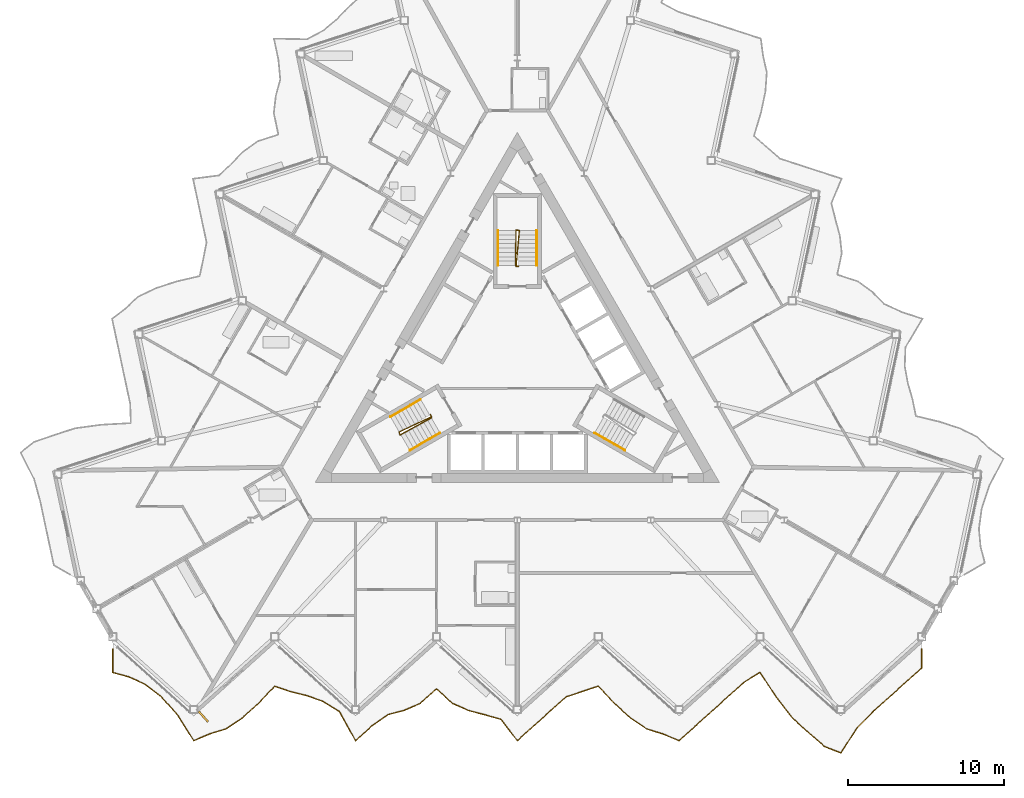
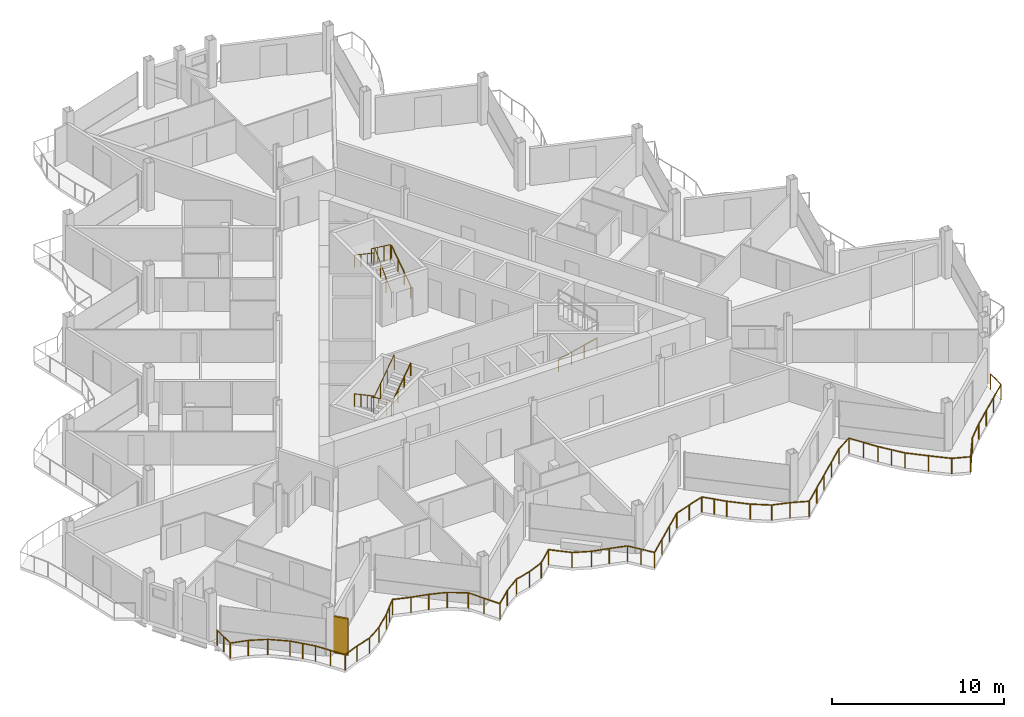
# One storey, part 22 of 26: 8 railings, 1 shading device.
"""IFC4 building model written with IfcOpenShell, lengths in metres."""

from ifc_helpers import new_model, si_unit, direction, frame, origin, origin_2d, place, context, subcontext, project, spatial, rectangle, circle, extrude, material, layer, layer_set, type_object, element, save


model = new_model("IFC4")

# Units and contexts
model_context = context("Model", 3, precision=1e-05, world=origin(), true_north=direction((0.0, 1.0)))
body_context = subcontext(model_context, "Body", "Model", "MODEL_VIEW")
ifc_project = project(units=[si_unit("LENGTHUNIT", "METRE"), si_unit("AREAUNIT", "SQUARE_METRE"), si_unit("VOLUMEUNIT", "CUBIC_METRE"), si_unit("PLANEANGLEUNIT", "RADIAN"), si_unit("MASSUNIT", "GRAM", prefix="KILO")], contexts=[model_context])

# Site, building, storey
site_placement = place(None, origin())
site = spatial("IfcSite", under=ifc_project, at=site_placement, CompositionType="ELEMENT")
building_placement = place(site_placement, origin())
building = spatial("IfcBuilding", under=site, at=building_placement, Name="Cormorant Prow Tower", CompositionType="ELEMENT")
storey_placement = place(building_placement, frame((0.0, 0.0, 384.800048828125)))
storey = spatial("IfcBuildingStorey", under=building, at=storey_placement, Name="L87", CompositionType="ELEMENT", Elevation=384.800048828125)

# Railings
ifc_material_1 = material(Name="Aluminium 6063-T6", Category="aluminium")
railing_type_1 = type_object("IfcRailingType", Name="Balcony guard 1100", PredefinedType="GUARDRAIL", material=ifc_material_1)
railing_1_placement = place(storey_placement, frame((-26.0, -18.189697265625, 0.0)))
element("IfcRailing", 1, at=railing_1_placement, inside=storey, type_object=railing_type_1, Name="Balcony guard S", PredefinedType="GUARDRAIL", context=body_context, shape_type="SweptSolid", body=[
    extrude(circle(Radius=0.02392578125, at=origin_2d()), frame((0.0, 0.0, 1.076171875), z_axis=(0.0, -1.0, 0.0), x_axis=(1.0, 0.0, 0.0)), (0.0, 0.0, 1.0), 1.52001953125),
    extrude(circle(Radius=0.02392578125, at=origin_2d()), frame((0.0, -1.52001953125, 1.076171875), z_axis=(0.964810844269, -0.262944927276, 0.0), x_axis=(0.262944927276, 0.964810844269, 0.0)), (0.0, 0.0, 1.0), 1.077880859375),
    extrude(circle(Radius=0.02392578125, at=origin_2d()), frame((1.0400390625, -1.803466796875, 1.076171875), z_axis=(0.909347595686, -0.41603719812, 0.0), x_axis=(0.41603719812, 0.909347595686, 0.0)), (0.0, 0.0, 1.0), 1.143798828125),
    extrude(circle(Radius=0.02392578125, at=origin_2d()), frame((2.080078125, -2.279296875, 1.076171875), z_axis=(0.791268661421, -0.611468646337, 0.0), x_axis=(0.611468646337, 0.791268661421, 0.0)), (0.0, 0.0, 1.0), 1.314453125),
    extrude(circle(Radius=0.02392578125, at=origin_2d()), frame((3.1201171875, -3.0830078125, 1.076171875), z_axis=(0.6640831276, -0.747658745443, 0.0), x_axis=(0.747658745443, 0.6640831276, 0.0)), (0.0, 0.0, 1.0), 1.565673828125),
    extrude(circle(Radius=0.02392578125, at=origin_2d()), frame((4.159912109375, -4.253662109375, 1.076171875), z_axis=(0.533597069462, -0.845738829345, 0.0), x_axis=(0.845738829345, 0.533597069462, 0.0)), (0.0, 0.0, 1.0), 1.94921875),
    extrude(circle(Radius=0.02392578125, at=origin_2d()), frame((5.199951171875, -5.902099609375, 1.076171875), z_axis=(0.920214237524, 0.391415070045, 0.0), x_axis=(-0.391415070045, 0.920214237524, 0.0)), (0.0, 0.0, 1.0), 1.130126953125),
    extrude(circle(Radius=0.02392578125, at=origin_2d()), frame((6.239990234375, -5.459716796875, 1.076171875), z_axis=(0.95576445461, 0.294133145538, 0.0), x_axis=(-0.294133145538, 0.95576445461, 0.0)), (0.0, 0.0, 1.0), 1.088134765625),
    extrude(circle(Radius=0.02392578125, at=origin_2d()), frame((7.280029296875, -5.1396484375, 1.076171875), z_axis=(0.830788013816, 0.556588965125, 0.0), x_axis=(-0.556588965125, 0.830788013816, 0.0)), (0.0, 0.0, 1.0), 1.251953125),
    extrude(circle(Radius=0.02392578125, at=origin_2d()), frame((8.320068359375, -4.44287109375, 1.076171875), z_axis=(0.743120643554, 0.66915746213, 0.0), x_axis=(-0.66915746213, 0.743120643554, 0.0)), (0.0, 0.0, 1.0), 1.399658203125),
    extrude(circle(Radius=0.02392578125, at=origin_2d()), frame((9.360107421875, -3.50634765625, 1.076171875), z_axis=(0.686746627718, 0.726896876674, 0.0), x_axis=(-0.726896876674, 0.686746627718, 0.0)), (0.0, 0.0, 1.0), 1.51416015625),
    extrude(circle(Radius=0.02392578125, at=origin_2d()), frame((10.39990234375, -2.40576171875, 1.076171875), z_axis=(0.949083556444, -0.315024448078, 0.0), x_axis=(0.315024448078, 0.949083556444, 0.0)), (0.0, 0.0, 1.0), 1.095947265625),
    extrude(circle(Radius=0.02392578125, at=origin_2d()), frame((11.43994140625, -2.7509765625, 1.076171875), z_axis=(0.970463258891, -0.241248965062, 0.0), x_axis=(0.241248965062, 0.970463258891, 0.0)), (0.0, 0.0, 1.0), 1.07177734375),
    extrude(circle(Radius=0.02392578125, at=origin_2d()), frame((12.47998046875, -3.009521484375, 1.076171875), z_axis=(0.941701894654, -0.336448423395, 0.0), x_axis=(0.336448423395, 0.941701894654, 0.0)), (0.0, 0.0, 1.0), 1.1044921875),
    extrude(circle(Radius=0.02392578125, at=origin_2d()), frame((13.52001953125, -3.381103515625, 1.076171875), z_axis=(0.847864099887, -0.530213606127, 0.0), x_axis=(0.530213606127, 0.847864099887, 0.0)), (0.0, 0.0, 1.0), 1.2265625),
    extrude(circle(Radius=0.02392578125, at=origin_2d()), frame((14.56005859375, -4.031494140625, 1.076171875), z_axis=(0.485933457177, -0.873995809599, 0.0), x_axis=(0.873995809599, 0.485933457177, 0.0)), (0.0, 0.0, 1.0), 2.140380859375),
    extrude(circle(Radius=0.02392578125, at=origin_2d()), frame((15.60009765625, -5.902099609375, 1.076171875), z_axis=(0.74304251841, 0.669244212403, 0.0), x_axis=(-0.669244212403, 0.74304251841, 0.0)), (0.0, 0.0, 1.0), 1.3994140625),
    extrude(circle(Radius=0.02392578125, at=origin_2d()), frame((16.639892578125, -4.965576171875, 1.076171875), z_axis=(0.815166142361, 0.579227209607, 0.0), x_axis=(-0.579227209607, 0.815166142361, 0.0)), (0.0, 0.0, 1.0), 1.27587890625),
    extrude(circle(Radius=0.02392578125, at=origin_2d()), frame((17.679931640625, -4.2265625, 1.076171875), z_axis=(0.967800372049, 0.251718970007, 0.0), x_axis=(-0.251718970007, 0.967800372049, 0.0)), (0.0, 0.0, 1.0), 1.07470703125),
    extrude(circle(Radius=0.02392578125, at=origin_2d()), frame((18.719970703125, -3.9560546875, 1.076171875), z_axis=(0.917869764343, 0.396881715005, 0.0), x_axis=(-0.396881715005, 0.917869764343, 0.0)), (0.0, 0.0, 1.0), 1.133056640625),
    extrude(circle(Radius=0.02392578125, at=origin_2d()), frame((19.760009765625, -3.50634765625, 1.076171875), z_axis=(0.743207391022, 0.669061113749, 0.0), x_axis=(-0.669061113749, 0.743207391022, 0.0)), (0.0, 0.0, 1.0), 1.3994140625),
    extrude(circle(Radius=0.02392578125, at=origin_2d()), frame((20.800048828125, -2.570068359375, 1.076171875), z_axis=(0.743207391022, -0.669061113749, 0.0), x_axis=(0.669061113749, 0.743207391022, 0.0)), (0.0, 0.0, 1.0), 1.3994140625),
    extrude(circle(Radius=0.02392578125, at=origin_2d()), frame((21.840087890625, -3.50634765625, 1.076171875), z_axis=(0.914756758926, -0.404005039572, 0.0), x_axis=(0.404005039572, 0.914756758926, 0.0)), (0.0, 0.0, 1.0), 1.13671875),
    extrude(circle(Radius=0.02392578125, at=origin_2d()), frame((22.8798828125, -3.965576171875, 1.076171875), z_axis=(0.967523142139, -0.252782454742, 0.0), x_axis=(0.252782454742, 0.967523142139, 0.0)), (0.0, 0.0, 1.0), 1.074951171875),
    extrude(circle(Radius=0.02392578125, at=origin_2d()), frame((23.919921875, -4.2373046875, 1.076171875), z_axis=(0.961114225103, -0.276151129466, 0.0), x_axis=(0.276151129466, 0.961114225103, 0.0)), (0.0, 0.0, 1.0), 1.08203125),
    extrude(circle(Radius=0.02392578125, at=origin_2d()), frame((24.9599609375, -4.5361328125, 1.076171875), z_axis=(0.605786115931, -0.795627539585, 0.0), x_axis=(0.795627539585, 0.605786115931, 0.0)), (0.0, 0.0, 1.0), 1.716796875),
    extrude(circle(Radius=0.02392578125, at=origin_2d()), frame((26.0, -5.902099609375, 1.076171875), z_axis=(0.743120643554, 0.66915746213, 0.0), x_axis=(-0.66915746213, 0.743120643554, 0.0)), (0.0, 0.0, 1.0), 1.399658203125),
    extrude(circle(Radius=0.02392578125, at=origin_2d()), frame((27.0400390625, -4.965576171875, 1.076171875), z_axis=(0.743207391022, 0.669061113749, 0.0), x_axis=(-0.669061113749, 0.743207391022, 0.0)), (0.0, 0.0, 1.0), 1.3994140625),
    extrude(circle(Radius=0.02392578125, at=origin_2d()), frame((28.080078125, -4.029296875, 1.076171875), z_axis=(0.743120643554, 0.66915746213, 0.0), x_axis=(-0.66915746213, 0.743120643554, 0.0)), (0.0, 0.0, 1.0), 1.399658203125),
    extrude(circle(Radius=0.02392578125, at=origin_2d()), frame((29.1201171875, -3.0927734375, 1.076171875), z_axis=(0.947182716129, 0.320694406353, 0.0), x_axis=(-0.320694406353, 0.947182716129, 0.0)), (0.0, 0.0, 1.0), 1.09765625),
    extrude(circle(Radius=0.02392578125, at=origin_2d()), frame((30.159912109375, -2.74072265625, 1.076171875), z_axis=(0.94981426638, 0.312814416838, 0.0), x_axis=(-0.312814416838, 0.94981426638, 0.0)), (0.0, 0.0, 1.0), 1.094970703125),
    extrude(circle(Radius=0.02392578125, at=origin_2d()), frame((31.199951171875, -2.398193359375, 1.076171875), z_axis=(0.68434179977, -0.729161368346, 0.0), x_axis=(0.729161368346, 0.68434179977, 0.0)), (0.0, 0.0, 1.0), 1.519775390625),
    extrude(circle(Radius=0.02392578125, at=origin_2d()), frame((32.239990234375, -3.50634765625, 1.076171875), z_axis=(0.743120643554, -0.66915746213, 0.0), x_axis=(0.66915746213, 0.743120643554, 0.0)), (0.0, 0.0, 1.0), 1.399658203125),
    extrude(circle(Radius=0.02392578125, at=origin_2d()), frame((33.280029296875, -4.44287109375, 1.076171875), z_axis=(0.827810980461, -0.561007112815, 0.0), x_axis=(0.561007112815, 0.827810980461, 0.0)), (0.0, 0.0, 1.0), 1.25634765625),
    extrude(circle(Radius=0.02392578125, at=origin_2d()), frame((34.320068359375, -5.147705078125, 1.076171875), z_axis=(0.95513195823, -0.296180590803, 0.0), x_axis=(0.296180590803, 0.95513195823, 0.0)), (0.0, 0.0, 1.0), 1.0888671875),
    extrude(circle(Radius=0.02392578125, at=origin_2d()), frame((35.360107421875, -5.47021484375, 1.076171875), z_axis=(0.923506170268, -0.383583567787, 0.0), x_axis=(0.383583567787, 0.923506170268, 0.0)), (0.0, 0.0, 1.0), 1.1259765625),
    extrude(circle(Radius=0.02392578125, at=origin_2d()), frame((36.39990234375, -5.902099609375, 1.076171875), z_axis=(0.743120643554, 0.66915746213, 0.0), x_axis=(-0.66915746213, 0.743120643554, 0.0)), (0.0, 0.0, 1.0), 1.399658203125),
    extrude(circle(Radius=0.02392578125, at=origin_2d()), frame((37.43994140625, -4.965576171875, 1.076171875), z_axis=(0.743207391022, 0.669061113749, 0.0), x_axis=(-0.669061113749, 0.743207391022, 0.0)), (0.0, 0.0, 1.0), 1.3994140625),
    extrude(circle(Radius=0.02392578125, at=origin_2d()), frame((38.47998046875, -4.029296875, 1.076171875), z_axis=(0.743120643554, 0.66915746213, 0.0), x_axis=(-0.66915746213, 0.743120643554, 0.0)), (0.0, 0.0, 1.0), 1.399658203125),
    extrude(circle(Radius=0.02392578125, at=origin_2d()), frame((39.52001953125, -3.0927734375, 1.076171875), z_axis=(0.743207391022, 0.669061113749, 0.0), x_axis=(-0.669061113749, 0.743207391022, 0.0)), (0.0, 0.0, 1.0), 1.3994140625),
    extrude(circle(Radius=0.02392578125, at=origin_2d()), frame((40.56005859375, -2.156494140625, 1.076171875), z_axis=(0.849026802897, 0.528349778047, 0.0), x_axis=(-0.528349778047, 0.849026802897, 0.0)), (0.0, 0.0, 1.0), 1.22509765625),
    extrude(circle(Radius=0.02392578125, at=origin_2d()), frame((41.60009765625, -1.50927734375, 1.076171875), z_axis=(0.547117832876, -0.837055599676, 0.0), x_axis=(0.837055599676, 0.547117832876, 0.0)), (0.0, 0.0, 1.0), 1.900390625),
    extrude(circle(Radius=0.02392578125, at=origin_2d()), frame((42.639892578125, -3.10009765625, 1.076171875), z_axis=(0.612347129272, -0.790589016666, 0.0), x_axis=(0.790589016666, 0.612347129272, 0.0)), (0.0, 0.0, 1.0), 1.698486328125),
    extrude(circle(Radius=0.02392578125, at=origin_2d()), frame((43.679931640625, -4.44287109375, 1.076171875), z_axis=(0.743207391022, -0.669061113749, 0.0), x_axis=(0.669061113749, 0.743207391022, 0.0)), (0.0, 0.0, 1.0), 1.3994140625),
    extrude(circle(Radius=0.02392578125, at=origin_2d()), frame((44.719970703125, -5.379150390625, 1.076171875), z_axis=(0.754548321013, -0.656244490458, 0.0), x_axis=(0.656244490458, 0.754548321013, 0.0)), (0.0, 0.0, 1.0), 1.37841796875),
    extrude(circle(Radius=0.02392578125, at=origin_2d()), frame((45.760009765625, -6.28369140625, 1.076171875), z_axis=(0.931016886967, -0.364976103576, 0.0), x_axis=(0.364976103576, 0.931016886967, 0.0)), (0.0, 0.0, 1.0), 1.1171875),
    extrude(circle(Radius=0.02392578125, at=origin_2d()), frame((46.800048828125, -6.69140625, 1.076171875), z_axis=(0.542823251772, 0.839846960664, 0.0), x_axis=(-0.839846960664, 0.542823251772, 0.0)), (0.0, 0.0, 1.0), 1.916015625),
    extrude(circle(Radius=0.02392578125, at=origin_2d()), frame((47.840087890625, -5.082275390625, 1.076171875), z_axis=(0.702638363569, 0.711547138313, 0.0), x_axis=(-0.711547138313, 0.702638363569, 0.0)), (0.0, 0.0, 1.0), 1.479736328125),
    extrude(circle(Radius=0.02392578125, at=origin_2d()), frame((48.8798828125, -4.029296875, 1.076171875), z_axis=(0.743120643554, 0.66915746213, 0.0), x_axis=(-0.66915746213, 0.743120643554, 0.0)), (0.0, 0.0, 1.0), 1.399658203125),
    extrude(circle(Radius=0.02392578125, at=origin_2d()), frame((49.919921875, -3.0927734375, 1.076171875), z_axis=(0.743207391022, 0.669061113749, 0.0), x_axis=(-0.669061113749, 0.743207391022, 0.0)), (0.0, 0.0, 1.0), 1.3994140625),
    extrude(circle(Radius=0.02392578125, at=origin_2d()), frame((50.9599609375, -2.156494140625, 1.076171875), z_axis=(0.743120643554, 0.66915746213, 0.0), x_axis=(-0.66915746213, 0.743120643554, 0.0)), (0.0, 0.0, 1.0), 1.399658203125),
    extrude(circle(Radius=0.02392578125, at=origin_2d()), frame((52.0, -1.219970703125, 1.076171875), z_axis=(0.0, 1.0, 0.0), x_axis=(-1.0, 0.0, 0.0)), (0.0, 0.0, 1.0), 1.219970703125),
    extrude(circle(Radius=0.02099609375, at=origin_2d()), origin(), (0.0, 0.0, 1.0), 1.052001953125),
    extrude(circle(Radius=0.02099609375, at=origin_2d()), frame((0.0, -0.760009765625, 0.0)), (0.0, 0.0, 1.0), 1.052001953125),
    extrude(circle(Radius=0.02099609375, at=origin_2d()), frame((0.0, -1.52001953125, 0.0)), (0.0, 0.0, 1.0), 1.052001953125),
    extrude(circle(Radius=0.02099609375, at=origin_2d()), frame((1.0400390625, -1.803466796875, 0.0)), (0.0, 0.0, 1.0), 1.052001953125),
    extrude(circle(Radius=0.02099609375, at=origin_2d()), frame((2.080078125, -2.279296875, 0.0)), (0.0, 0.0, 1.0), 1.052001953125),
    extrude(circle(Radius=0.02099609375, at=origin_2d()), frame((3.1201171875, -3.0830078125, 0.0)), (0.0, 0.0, 1.0), 1.052001953125),
    extrude(circle(Radius=0.02099609375, at=origin_2d()), frame((3.64013671875, -3.66845703125, 0.0)), (0.0, 0.0, 1.0), 1.052001953125),
    extrude(circle(Radius=0.02099609375, at=origin_2d()), frame((4.159912109375, -4.253662109375, 0.0)), (0.0, 0.0, 1.0), 1.052001953125),
    extrude(circle(Radius=0.02099609375, at=origin_2d()), frame((4.679931640625, -5.077880859375, 0.0)), (0.0, 0.0, 1.0), 1.052001953125),
    extrude(circle(Radius=0.02099609375, at=origin_2d()), frame((5.199951171875, -5.902099609375, 0.0)), (0.0, 0.0, 1.0), 1.052001953125),
    extrude(circle(Radius=0.02099609375, at=origin_2d()), frame((6.239990234375, -5.459716796875, 0.0)), (0.0, 0.0, 1.0), 1.052001953125),
    extrude(circle(Radius=0.02099609375, at=origin_2d()), frame((7.280029296875, -5.1396484375, 0.0)), (0.0, 0.0, 1.0), 1.052001953125),
    extrude(circle(Radius=0.02099609375, at=origin_2d()), frame((8.320068359375, -4.44287109375, 0.0)), (0.0, 0.0, 1.0), 1.052001953125),
    extrude(circle(Radius=0.02099609375, at=origin_2d()), frame((9.360107421875, -3.50634765625, 0.0)), (0.0, 0.0, 1.0), 1.052001953125),
    extrude(circle(Radius=0.02099609375, at=origin_2d()), frame((9.8798828125, -2.9560546875, 0.0)), (0.0, 0.0, 1.0), 1.052001953125),
    extrude(circle(Radius=0.02099609375, at=origin_2d()), frame((10.39990234375, -2.40576171875, 0.0)), (0.0, 0.0, 1.0), 1.052001953125),
    extrude(circle(Radius=0.02099609375, at=origin_2d()), frame((11.43994140625, -2.7509765625, 0.0)), (0.0, 0.0, 1.0), 1.052001953125),
    extrude(circle(Radius=0.02099609375, at=origin_2d()), frame((12.47998046875, -3.009521484375, 0.0)), (0.0, 0.0, 1.0), 1.052001953125),
    extrude(circle(Radius=0.02099609375, at=origin_2d()), frame((13.52001953125, -3.381103515625, 0.0)), (0.0, 0.0, 1.0), 1.052001953125),
    extrude(circle(Radius=0.02099609375, at=origin_2d()), frame((14.56005859375, -4.031494140625, 0.0)), (0.0, 0.0, 1.0), 1.052001953125),
    extrude(circle(Radius=0.02099609375, at=origin_2d()), frame((15.080078125, -4.966796875, 0.0)), (0.0, 0.0, 1.0), 1.052001953125),
    extrude(circle(Radius=0.02099609375, at=origin_2d()), frame((15.60009765625, -5.902099609375, 0.0)), (0.0, 0.0, 1.0), 1.052001953125),
    extrude(circle(Radius=0.02099609375, at=origin_2d()), frame((16.639892578125, -4.965576171875, 0.0)), (0.0, 0.0, 1.0), 1.052001953125),
    extrude(circle(Radius=0.02099609375, at=origin_2d()), frame((17.679931640625, -4.2265625, 0.0)), (0.0, 0.0, 1.0), 1.052001953125),
    extrude(circle(Radius=0.02099609375, at=origin_2d()), frame((18.719970703125, -3.9560546875, 0.0)), (0.0, 0.0, 1.0), 1.052001953125),
    extrude(circle(Radius=0.02099609375, at=origin_2d()), frame((19.760009765625, -3.50634765625, 0.0)), (0.0, 0.0, 1.0), 1.052001953125),
    extrude(circle(Radius=0.02099609375, at=origin_2d()), frame((20.800048828125, -2.570068359375, 0.0)), (0.0, 0.0, 1.0), 1.052001953125),
    extrude(circle(Radius=0.02099609375, at=origin_2d()), frame((21.840087890625, -3.50634765625, 0.0)), (0.0, 0.0, 1.0), 1.052001953125),
    extrude(circle(Radius=0.02099609375, at=origin_2d()), frame((22.8798828125, -3.965576171875, 0.0)), (0.0, 0.0, 1.0), 1.052001953125),
    extrude(circle(Radius=0.02099609375, at=origin_2d()), frame((23.919921875, -4.2373046875, 0.0)), (0.0, 0.0, 1.0), 1.052001953125),
    extrude(circle(Radius=0.02099609375, at=origin_2d()), frame((24.9599609375, -4.5361328125, 0.0)), (0.0, 0.0, 1.0), 1.052001953125),
    extrude(circle(Radius=0.02099609375, at=origin_2d()), frame((25.47998046875, -5.21923828125, 0.0)), (0.0, 0.0, 1.0), 1.052001953125),
    extrude(circle(Radius=0.02099609375, at=origin_2d()), frame((26.0, -5.902099609375, 0.0)), (0.0, 0.0, 1.0), 1.052001953125),
    extrude(circle(Radius=0.02099609375, at=origin_2d()), frame((27.0400390625, -4.965576171875, 0.0)), (0.0, 0.0, 1.0), 1.052001953125),
    extrude(circle(Radius=0.02099609375, at=origin_2d()), frame((28.080078125, -4.029296875, 0.0)), (0.0, 0.0, 1.0), 1.052001953125),
    extrude(circle(Radius=0.02099609375, at=origin_2d()), frame((29.1201171875, -3.0927734375, 0.0)), (0.0, 0.0, 1.0), 1.052001953125),
    extrude(circle(Radius=0.02099609375, at=origin_2d()), frame((30.159912109375, -2.74072265625, 0.0)), (0.0, 0.0, 1.0), 1.052001953125),
    extrude(circle(Radius=0.02099609375, at=origin_2d()), frame((31.199951171875, -2.398193359375, 0.0)), (0.0, 0.0, 1.0), 1.052001953125),
    extrude(circle(Radius=0.02099609375, at=origin_2d()), frame((31.719970703125, -2.9521484375, 0.0)), (0.0, 0.0, 1.0), 1.052001953125),
    extrude(circle(Radius=0.02099609375, at=origin_2d()), frame((32.239990234375, -3.50634765625, 0.0)), (0.0, 0.0, 1.0), 1.052001953125),
    extrude(circle(Radius=0.02099609375, at=origin_2d()), frame((33.280029296875, -4.44287109375, 0.0)), (0.0, 0.0, 1.0), 1.052001953125),
    extrude(circle(Radius=0.02099609375, at=origin_2d()), frame((34.320068359375, -5.147705078125, 0.0)), (0.0, 0.0, 1.0), 1.052001953125),
    extrude(circle(Radius=0.02099609375, at=origin_2d()), frame((35.360107421875, -5.47021484375, 0.0)), (0.0, 0.0, 1.0), 1.052001953125),
    extrude(circle(Radius=0.02099609375, at=origin_2d()), frame((36.39990234375, -5.902099609375, 0.0)), (0.0, 0.0, 1.0), 1.052001953125),
    extrude(circle(Radius=0.02099609375, at=origin_2d()), frame((37.43994140625, -4.965576171875, 0.0)), (0.0, 0.0, 1.0), 1.052001953125),
    extrude(circle(Radius=0.02099609375, at=origin_2d()), frame((38.47998046875, -4.029296875, 0.0)), (0.0, 0.0, 1.0), 1.052001953125),
    extrude(circle(Radius=0.02099609375, at=origin_2d()), frame((39.52001953125, -3.0927734375, 0.0)), (0.0, 0.0, 1.0), 1.052001953125),
    extrude(circle(Radius=0.02099609375, at=origin_2d()), frame((40.56005859375, -2.156494140625, 0.0)), (0.0, 0.0, 1.0), 1.052001953125),
    extrude(circle(Radius=0.02099609375, at=origin_2d()), frame((41.60009765625, -1.50927734375, 0.0)), (0.0, 0.0, 1.0), 1.052001953125),
    extrude(circle(Radius=0.02099609375, at=origin_2d()), frame((42.1201171875, -2.3046875, 0.0)), (0.0, 0.0, 1.0), 1.052001953125),
    extrude(circle(Radius=0.02099609375, at=origin_2d()), frame((42.639892578125, -3.10009765625, 0.0)), (0.0, 0.0, 1.0), 1.052001953125),
    extrude(circle(Radius=0.02099609375, at=origin_2d()), frame((43.159912109375, -3.771484375, 0.0)), (0.0, 0.0, 1.0), 1.052001953125),
    extrude(circle(Radius=0.02099609375, at=origin_2d()), frame((43.679931640625, -4.44287109375, 0.0)), (0.0, 0.0, 1.0), 1.052001953125),
    extrude(circle(Radius=0.02099609375, at=origin_2d()), frame((44.719970703125, -5.379150390625, 0.0)), (0.0, 0.0, 1.0), 1.052001953125),
    extrude(circle(Radius=0.02099609375, at=origin_2d()), frame((45.760009765625, -6.28369140625, 0.0)), (0.0, 0.0, 1.0), 1.052001953125),
    extrude(circle(Radius=0.02099609375, at=origin_2d()), frame((46.800048828125, -6.69140625, 0.0)), (0.0, 0.0, 1.0), 1.052001953125),
    extrude(circle(Radius=0.02099609375, at=origin_2d()), frame((47.320068359375, -5.88671875, 0.0)), (0.0, 0.0, 1.0), 1.052001953125),
    extrude(circle(Radius=0.02099609375, at=origin_2d()), frame((47.840087890625, -5.082275390625, 0.0)), (0.0, 0.0, 1.0), 1.052001953125),
    extrude(circle(Radius=0.02099609375, at=origin_2d()), frame((48.8798828125, -4.029296875, 0.0)), (0.0, 0.0, 1.0), 1.052001953125),
    extrude(circle(Radius=0.02099609375, at=origin_2d()), frame((49.919921875, -3.0927734375, 0.0)), (0.0, 0.0, 1.0), 1.052001953125),
    extrude(circle(Radius=0.02099609375, at=origin_2d()), frame((50.9599609375, -2.156494140625, 0.0)), (0.0, 0.0, 1.0), 1.052001953125),
    extrude(circle(Radius=0.02099609375, at=origin_2d()), frame((52.0, -1.219970703125, 0.0)), (0.0, 0.0, 1.0), 1.052001953125),
    extrude(circle(Radius=0.02099609375, at=origin_2d()), frame((52.0, 0.0, 0.0)), (0.0, 0.0, 1.0), 1.052001953125),
])
ifc_material_2 = material(Name="Stainless steel", Category="steel")
railing_type_2 = type_object("IfcRailingType", Name="Stair guard 1100", PredefinedType="GUARDRAIL", material=ifc_material_2)
railing_2_placement = place(storey_placement, frame((-5.585205078125, -3.137939453125, 0.0)))
element("IfcRailing", 2, at=railing_2_placement, inside=storey, type_object=railing_type_2, Name="L87 ST1 stair guard 1", PredefinedType="GUARDRAIL", context=body_context, shape_type="SweptSolid", body=[
    extrude(circle(Radius=0.02392578125, at=origin_2d()), frame((0.0, 0.0, 1.076171875), z_axis=(0.501036270542, -0.865426285481, 0.0), x_axis=(0.865426285481, 0.501036270542, 0.0)), (0.0, 0.0, 1.0), 0.150146484375),
    extrude(circle(Radius=0.02392578125, at=origin_2d()), frame((0.0751953125, -0.1298828125, 1.076171875), z_axis=(-0.728641035543, -0.339941399566, 0.594577233152), x_axis=(0.422792438952, -0.906226546491, 0.0)), (0.0, 0.0, 1.0), 2.859130859375),
    extrude(circle(Radius=0.02392578125, at=origin_2d()), frame((-2.008056640625, -1.101806640625, 2.77587890625), z_axis=(0.275034262293, -0.961434425515, 0.0), x_axis=(0.961434425515, 0.275034262293, 0.0)), (0.0, 0.0, 1.0), 0.2060546875),
    extrude(circle(Radius=0.02392578125, at=origin_2d()), frame((-1.951416015625, -1.2998046875, 2.77587890625), z_axis=(0.704058451865, 0.386179398835, 0.595959032378), x_axis=(-0.480911908544, 0.87676891837, 0.0)), (0.0, 0.0, 1.0), 2.8525390625),
    extrude(circle(Radius=0.02099609375, at=origin_2d()), origin(), (0.0, 0.0, 1.0), 1.052001953125),
    extrude(circle(Radius=0.02099609375, at=origin_2d()), frame((0.0751953125, -0.1298828125, 0.0)), (0.0, 0.0, 1.0), 1.052001953125),
    extrude(circle(Radius=0.02099609375, at=origin_2d()), frame((-0.619140625, -0.453857421875, 0.566650390625)), (0.0, 0.0, 1.0), 1.052001953125),
    extrude(circle(Radius=0.02099609375, at=origin_2d()), frame((-1.313720703125, -0.77783203125, 1.13330078125)), (0.0, 0.0, 1.0), 1.052001953125),
    extrude(circle(Radius=0.02099609375, at=origin_2d()), frame((-2.008056640625, -1.101806640625, 1.699951171875)), (0.0, 0.0, 1.0), 1.052001953125),
    extrude(circle(Radius=0.02099609375, at=origin_2d()), frame((-1.951416015625, -1.2998046875, 1.699951171875)), (0.0, 0.0, 1.0), 1.052001953125),
    extrude(circle(Radius=0.02099609375, at=origin_2d()), frame((-1.281982421875, -0.9326171875, 2.2666015625)), (0.0, 0.0, 1.0), 1.052001953125),
    extrude(circle(Radius=0.02099609375, at=origin_2d()), frame((-0.612548828125, -0.5654296875, 2.833251953125)), (0.0, 0.0, 1.0), 1.052001953125),
    extrude(circle(Radius=0.02099609375, at=origin_2d()), frame((0.056884765625, -0.1982421875, 3.39990234375)), (0.0, 0.0, 1.0), 1.052001953125),
])
railing_3_placement = place(storey_placement, frame((0.074951171875, 6.40576171875, 0.0)))
element("IfcRailing", 3, at=railing_3_placement, inside=storey, type_object=railing_type_2, Name="L87 ST3 stair guard 1", PredefinedType="GUARDRAIL", context=body_context, shape_type="SweptSolid", body=[
    extrude(circle(Radius=0.02392578125, at=origin_2d()), frame((0.0, 0.0, 1.076171875), z_axis=(-1.0, 0.0, 0.0), x_axis=(0.0, -1.0, 0.0)), (0.0, 0.0, 1.0), 0.14990234375),
    extrude(circle(Radius=0.02392578125, at=origin_2d()), frame((-0.14990234375, 0.0, 1.076171875), z_axis=(0.069936542308, 0.800982621307, 0.594588698525), x_axis=(-0.996209839609, 0.086982500921, 0.0)), (0.0, 0.0, 1.0), 2.859130859375),
    extrude(circle(Radius=0.02392578125, at=origin_2d()), frame((0.050048828125, 2.2900390625, 2.77587890625), z_axis=(-0.970072785993, 0.242814311512, 0.0), x_axis=(-0.242814311512, -0.970072785993, 0.0)), (0.0, 0.0, 1.0), 0.2060546875),
    extrude(circle(Radius=0.02392578125, at=origin_2d()), frame((-0.14990234375, 2.340087890625, 2.77587890625), z_axis=(-0.017545750742, -0.80282508275, 0.595956402045), x_axis=(0.999761264773, -0.0218497931, 0.0)), (0.0, 0.0, 1.0), 2.8525390625),
    extrude(circle(Radius=0.02099609375, at=origin_2d()), origin(), (0.0, 0.0, 1.0), 1.052001953125),
    extrude(circle(Radius=0.02099609375, at=origin_2d()), frame((-0.14990234375, 0.0, 0.0)), (0.0, 0.0, 1.0), 1.052001953125),
    extrude(circle(Radius=0.02099609375, at=origin_2d()), frame((-0.083251953125, 0.763427734375, 0.566650390625)), (0.0, 0.0, 1.0), 1.052001953125),
    extrude(circle(Radius=0.02099609375, at=origin_2d()), frame((-0.0166015625, 1.526611328125, 1.13330078125)), (0.0, 0.0, 1.0), 1.052001953125),
    extrude(circle(Radius=0.02099609375, at=origin_2d()), frame((0.050048828125, 2.2900390625, 1.699951171875)), (0.0, 0.0, 1.0), 1.052001953125),
    extrude(circle(Radius=0.02099609375, at=origin_2d()), frame((-0.14990234375, 2.340087890625, 1.699951171875)), (0.0, 0.0, 1.0), 1.052001953125),
    extrude(circle(Radius=0.02099609375, at=origin_2d()), frame((-0.16650390625, 1.57666015625, 2.2666015625)), (0.0, 0.0, 1.0), 1.052001953125),
    extrude(circle(Radius=0.02099609375, at=origin_2d()), frame((-0.183349609375, 0.8134765625, 2.833251953125)), (0.0, 0.0, 1.0), 1.052001953125),
    extrude(circle(Radius=0.02099609375, at=origin_2d()), frame((-0.199951171875, 0.050048828125, 3.39990234375)), (0.0, 0.0, 1.0), 1.052001953125),
])
ifc_material_3 = material(Name="Stainless steel", Category="steel")
railing_type_3 = type_object("IfcRailingType", Name="Stair handrail 900", PredefinedType="HANDRAIL", material=ifc_material_3)
railing_4_placement = place(storey_placement, frame((-6.212890625, -2.150634765625, 0.188720703125)))
element("IfcRailing", 4, at=railing_4_placement, inside=storey, type_object=railing_type_3, Name="L87 ST1 stair handrail 1", PredefinedType="HANDRAIL", context=body_context, shape_type="SweptSolid", body=[
    extrude(circle(Radius=0.02392578125, at=origin_2d()), frame((0.0, 0.0, 0.8759765625), z_axis=(-0.717940317343, -0.414446543626, 0.55928147047), x_axis=(0.49994888933, -0.866054910533, 0.0)), (0.0, 0.0, 1.0), 2.7021484375),
    extrude(circle(Radius=0.02099609375, at=origin_2d()), origin(), (0.0, 0.0, 1.0), 0.851806640625),
    extrude(circle(Radius=0.02099609375, at=origin_2d()), frame((-0.646728515625, -0.373291015625, 0.503662109375)), (0.0, 0.0, 1.0), 0.851806640625),
    extrude(circle(Radius=0.02099609375, at=origin_2d()), frame((-1.293212890625, -0.74658203125, 1.007568359375)), (0.0, 0.0, 1.0), 0.851806640625),
    extrude(circle(Radius=0.02099609375, at=origin_2d()), frame((-1.93994140625, -1.119873046875, 1.51123046875)), (0.0, 0.0, 1.0), 0.851806640625),
])
railing_5_placement = place(storey_placement, frame((-6.90869140625, -5.42529296875, 1.888916015625)))
element("IfcRailing", 5, at=railing_5_placement, inside=storey, type_object=railing_type_3, Name="L87 ST1 stair handrail 2", PredefinedType="HANDRAIL", context=body_context, shape_type="SweptSolid", body=[
    extrude(circle(Radius=0.02392578125, at=origin_2d()), frame((0.0, 0.0, 0.8759765625), z_axis=(0.71790592183, 0.414569209485, 0.559234707389), x_axis=(-0.500077830873, 0.865980463445, 0.0)), (0.0, 0.0, 1.0), 2.701904296875),
    extrude(circle(Radius=0.02099609375, at=origin_2d()), origin(), (0.0, 0.0, 1.0), 0.851806640625),
    extrude(circle(Radius=0.02099609375, at=origin_2d()), frame((0.646484375, 0.373291015625, 0.503662109375)), (0.0, 0.0, 1.0), 0.851806640625),
    extrude(circle(Radius=0.02099609375, at=origin_2d()), frame((1.293212890625, 0.746826171875, 1.00732421875)), (0.0, 0.0, 1.0), 0.851806640625),
    extrude(circle(Radius=0.02099609375, at=origin_2d()), frame((1.939697265625, 1.1201171875, 1.510986328125)), (0.0, 0.0, 1.0), 0.851806640625),
])
railing_6_placement = place(storey_placement, frame((4.968994140625, -4.30517578125, 0.188720703125)))
element("IfcRailing", 6, at=railing_6_placement, inside=storey, type_object=railing_type_3, Name="L87 ST2 stair handrail 1", PredefinedType="HANDRAIL", context=body_context, shape_type="SweptSolid", body=[
    extrude(circle(Radius=0.02392578125, at=origin_2d()), frame((0.0, 0.0, 0.8759765625), z_axis=(0.717869644322, -0.414548260308, 0.559296802813), x_axis=(0.500077830873, 0.865980463445, 0.0)), (0.0, 0.0, 1.0), 2.701904296875),
    extrude(circle(Radius=0.02099609375, at=origin_2d()), origin(), (0.0, 0.0, 1.0), 0.851806640625),
    extrude(circle(Radius=0.02099609375, at=origin_2d()), frame((0.646484375, -0.373291015625, 0.503662109375)), (0.0, 0.0, 1.0), 0.851806640625),
    extrude(circle(Radius=0.02099609375, at=origin_2d()), frame((1.293212890625, -0.746826171875, 1.007568359375)), (0.0, 0.0, 1.0), 0.851806640625),
    extrude(circle(Radius=0.02099609375, at=origin_2d()), frame((1.939697265625, -1.1201171875, 1.51123046875)), (0.0, 0.0, 1.0), 0.851806640625),
])
railing_7_placement = place(storey_placement, frame((1.243896484375, 6.455810546875, 0.188720703125)))
element("IfcRailing", 7, at=railing_7_placement, inside=storey, type_object=railing_type_3, Name="L87 ST3 stair handrail 1", PredefinedType="HANDRAIL", context=body_context, shape_type="SweptSolid", body=[
    extrude(circle(Radius=0.02392578125, at=origin_2d()), frame((0.0, 0.0, 0.8759765625), z_axis=(0.0, 0.828979582247, 0.559278868023), x_axis=(-1.0, 0.0, 0.0)), (0.0, 0.0, 1.0), 2.7021484375),
    extrude(circle(Radius=0.02099609375, at=origin_2d()), origin(), (0.0, 0.0, 1.0), 0.851806640625),
    extrude(circle(Radius=0.02099609375, at=origin_2d()), frame((0.0, 0.74658203125, 0.503662109375)), (0.0, 0.0, 1.0), 0.851806640625),
    extrude(circle(Radius=0.02099609375, at=origin_2d()), frame((0.0, 1.493408203125, 1.007568359375)), (0.0, 0.0, 1.0), 0.851806640625),
    extrude(circle(Radius=0.02099609375, at=origin_2d()), frame((0.0, 2.239990234375, 1.51123046875)), (0.0, 0.0, 1.0), 0.851806640625),
])
railing_8_placement = place(storey_placement, frame((-1.243896484375, 8.69580078125, 1.888916015625)))
element("IfcRailing", 8, at=railing_8_placement, inside=storey, type_object=railing_type_3, Name="L87 ST3 stair handrail 2", PredefinedType="HANDRAIL", context=body_context, shape_type="SweptSolid", body=[
    extrude(circle(Radius=0.02392578125, at=origin_2d()), frame((0.0, 0.0, 0.8759765625), z_axis=(0.0, -0.829021472004, 0.559216772778), x_axis=(1.0, 0.0, 0.0)), (0.0, 0.0, 1.0), 2.701904296875),
    extrude(circle(Radius=0.02099609375, at=origin_2d()), origin(), (0.0, 0.0, 1.0), 0.851806640625),
    extrude(circle(Radius=0.02099609375, at=origin_2d()), frame((0.0, -0.74658203125, 0.503662109375)), (0.0, 0.0, 1.0), 0.851806640625),
    extrude(circle(Radius=0.02099609375, at=origin_2d()), frame((0.0, -1.493408203125, 1.00732421875)), (0.0, 0.0, 1.0), 0.851806640625),
    extrude(circle(Radius=0.02099609375, at=origin_2d()), frame((0.0, -2.239990234375, 1.510986328125)), (0.0, 0.0, 1.0), 0.851806640625),
])

# Shading device
ifc_material_4 = material(Name="Terracotta", Category="masonry")
ifc_layer = layer(ifc_material_4, 0.1201171875)
ifc_layer_set = layer_set([ifc_layer], Name="Terracotta")
shading_device_type = type_object("IfcShadingDeviceType", Name="Terracotta baguette fin 120x900x2600", PredefinedType="USERDEFINED", material=ifc_layer_set)
shading_device_placement = place(storey_placement, frame((-20.182373046875, -22.541015625, 0.0), z_axis=(0.0, 0.0, 1.0), x_axis=(0.743144827638, 0.669130603959, 0.0)))
element("IfcShadingDevice", 9, at=shading_device_placement, inside=storey, type_object=shading_device_type, Name="Baguette fin S01", ObjectType="BAGUETTE", PredefinedType="USERDEFINED", context=body_context, shape_type="SweptSolid", body=[
    extrude(rectangle(XDim=0.1201171875, YDim=0.89990234375, at=origin_2d()), origin(), (0.0, 0.0, 1.0), 2.60009765625),
])

save(model, "model.ifc")
